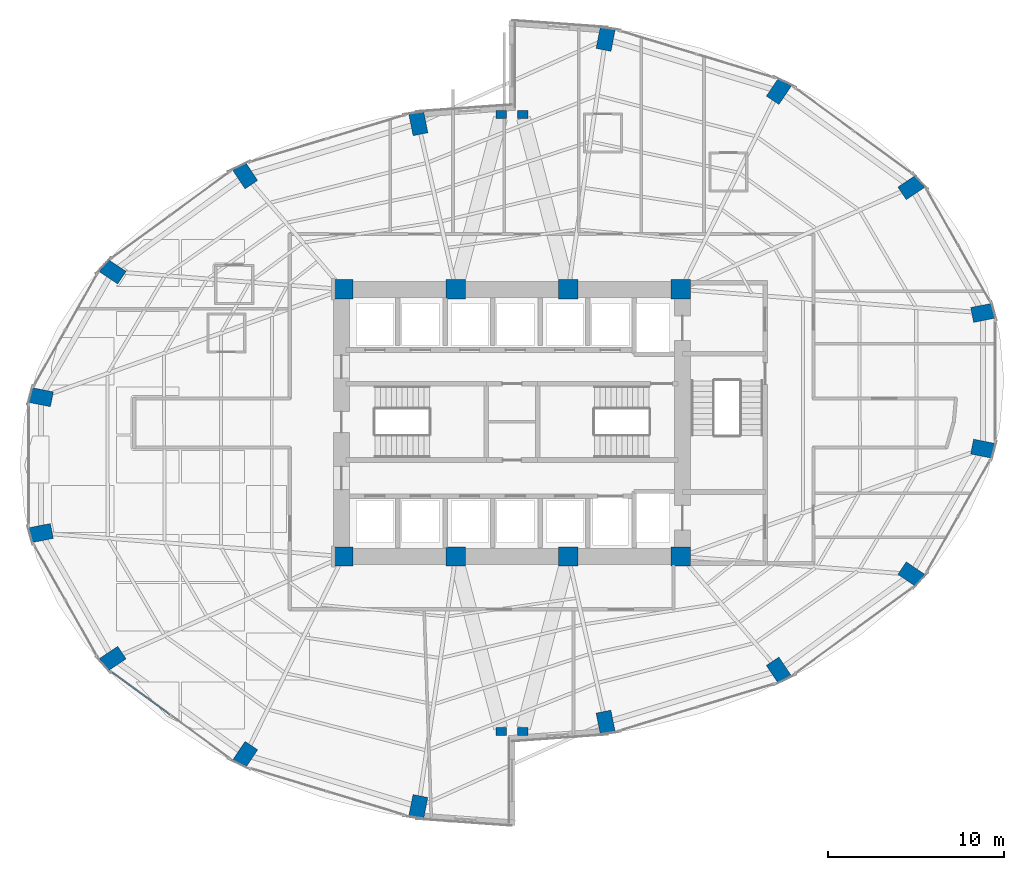
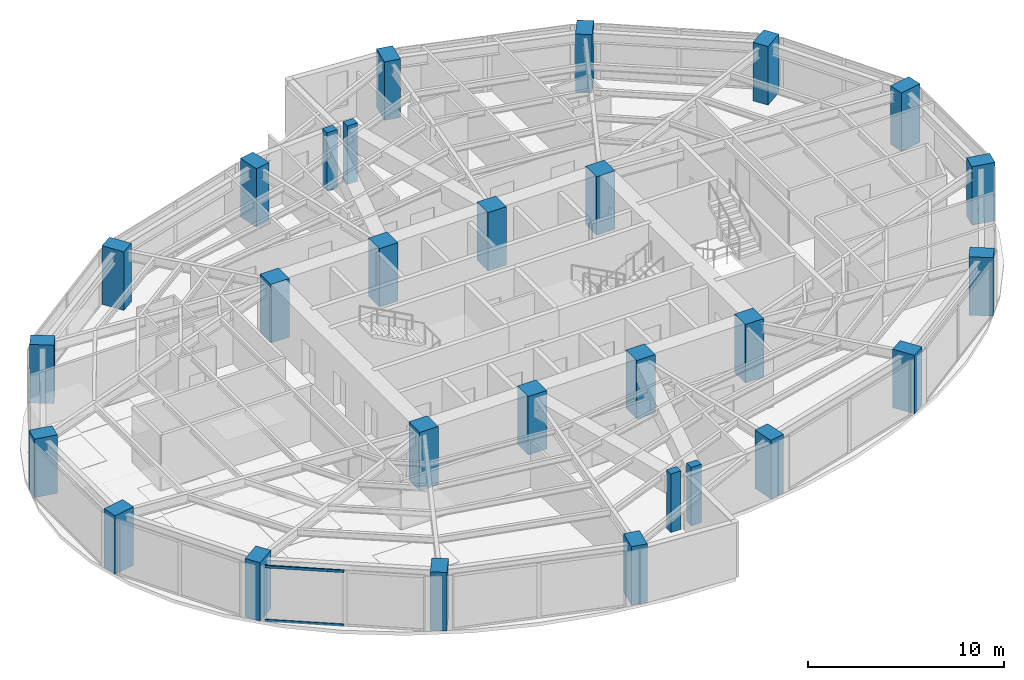
# One storey, part 1 of 24: 28 columns, 2 members, 1 element without a shape of its own.
"""IFC4 building model written with IfcOpenShell, lengths in metres."""

from ifc_helpers import new_model, si_unit, direction, frame, origin, origin_2d, place, context, subcontext, project, spatial, rectangle, hollow_rectangle, extrude, material, layer, layer_set, material_profile, profile_set, type_object, element, aggregate, save


model = new_model("IFC4")

# Units and contexts
model_context = context("Model", 3, precision=1e-05, world=origin(), true_north=direction((0.0, 1.0)))
body_context = subcontext(model_context, "Body", "Model", "MODEL_VIEW")
ifc_project = project(units=[si_unit("LENGTHUNIT", "METRE"), si_unit("AREAUNIT", "SQUARE_METRE"), si_unit("VOLUMEUNIT", "CUBIC_METRE"), si_unit("PLANEANGLEUNIT", "RADIAN"), si_unit("MASSUNIT", "GRAM", prefix="KILO")], contexts=[model_context])

# Site, building, storey
site_placement = place(None, origin())
site = spatial("IfcSite", under=ifc_project, at=site_placement, CompositionType="ELEMENT")
building_placement = place(site_placement, origin())
building = spatial("IfcBuilding", under=site, at=building_placement, Name="Lazwardi Medical Tower", CompositionType="ELEMENT")
storey_placement = place(building_placement, frame((0.0, 0.0, 54.384033203125)))
storey = spatial("IfcBuildingStorey", under=building, at=storey_placement, Name="L13", CompositionType="ELEMENT", Elevation=54.384033203125)

# Columns
ifc_material_1 = material(Name="Concrete C80/95", Category="concrete")
ifc_material_profile_1 = material_profile(ifc_material_1, rectangle(XDim=1.10009765625, YDim=1.10009765625, at=origin_2d()), Name="RC 1100x1100")
ifc_profile_set_1 = profile_set([ifc_material_profile_1], Name="Concrete C80/95")
column_type_1 = type_object("IfcColumnType", Name="COL-CC-L", PredefinedType="COLUMN", material=ifc_profile_set_1)
for number, where, z_axis, x_axis, name in (
    (1, (26.39990234375, 20.39990234375, 0.0), (0.0, 0.0, 1.0), (1.0, 0.0, 0.0), "Core column CC-01 CC1 L13"),
    (2, (32.800048828125, 20.39990234375, 0.0), (0.0, 0.0, 1.0), (1.0, 0.0, 0.0), "Core column CC-01 CC2 L13"),
    (3, (39.199951171875, 20.39990234375, 0.0), (0.0, 0.0, 1.0), (1.0, 0.0, 0.0), "Core column CC-01 CC3 L13"),
    (4, (45.60009765625, 20.39990234375, 0.0), (0.0, 0.0, 1.0), (1.0, 0.0, 0.0), "Core column CC-01 CC4 L13"),
    (5, (45.60009765625, 35.60009765625, 0.0), (0.0, 0.0, 1.0), (1.0, 0.0, 0.0), "Core column CC-01 CC5 L13"),
    (6, (39.199951171875, 35.60009765625, 0.0), (0.0, 0.0, 1.0), (1.0, 0.0, 0.0), "Core column CC-01 CC6 L13"),
    (7, (32.800048828125, 35.60009765625, 0.0), (0.0, 0.0, 1.0), (1.0, 0.0, 0.0), "Core column CC-01 CC7 L13"),
    (8, (26.39990234375, 35.60009765625, 0.0), (0.0, 0.0, 1.0), (1.0, 0.0, 0.0), "Core column CC-01 CC8 L13"),
):
    element("IfcColumn", number, at=place(storey_placement, frame(where, z_axis=z_axis, x_axis=x_axis)), inside=storey, type_object=column_type_1, Name=name, PredefinedType="COLUMN", context=body_context, shape_type="SweptSolid", body=[
        extrude(rectangle(XDim=1.10009765625, YDim=1.10009765625, at=origin_2d()), origin(), (0.0, 0.0, 1.0), 3.64794921875),
    ])
ifc_material_2 = material(Name="Concrete C70/85", Category="concrete")
ifc_material_profile_2 = material_profile(ifc_material_2, rectangle(XDim=1.25, YDim=0.860107421875, at=origin_2d()), Name="CFT-RECT 1250x860")
ifc_profile_set_2 = profile_set([ifc_material_profile_2], Name="Concrete C70/85")
column_type_2 = type_object("IfcColumnType", Name="COL-MC-Z1", PredefinedType="COLUMN", material=ifc_profile_set_2)
for number, where, z_axis, x_axis, name in (
    (9, (41.330810546875, 10.955810546875, 0.0), (0.0, 0.0, 1.0), (0.195090322016, -0.980785280403, 0.0), "Mega column MC-03 M01 L13"),
    (10, (51.180908203125, 13.916015625, 0.0), (0.0, 0.0, 1.0), (0.55557023302, -0.831469612303, 0.0), "Mega column MC-03 M02 L13"),
    (11, (58.719970703125, 19.3857421875, 0.0), (0.0, 0.0, 1.0), (0.831469612303, -0.55557023302, 0.0), "Mega column MC-03 M03 L13"),
    (12, (62.800048828125, 26.5322265625, 0.0), (0.0, 0.0, 1.0), (0.980785280403, -0.195090322016, 0.0), "Mega column MC-03 M04 L13"),
    (13, (62.800048828125, 34.267578125, 0.0), (0.0, 0.0, 1.0), (0.980785280403, 0.195090322016, 0.0), "Mega column MC-03 M05 L13"),
    (14, (58.719970703125, 41.414306640625, 0.0), (0.0, 0.0, 1.0), (0.831469612303, 0.55557023302, 0.0), "Mega column MC-03 M06 L13"),
    (15, (51.180908203125, 46.8837890625, 0.0), (0.0, 0.0, 1.0), (0.55557023302, 0.831469612303, 0.0), "Mega column MC-03 M07 L13"),
    (16, (41.330810546875, 49.843994140625, 0.0), (0.0, 0.0, 1.0), (0.195090322016, 0.980785280403, 0.0), "Mega column MC-03 M08 L13"),
    (17, (30.669189453125, 45.044189453125, 0.0), (0.0, 0.0, 1.0), (-0.195090322016, 0.980785280403, 0.0), "Mega column MC-03 M09 L13"),
    (18, (20.819091796875, 42.083984375, 0.0), (0.0, 0.0, 1.0), (-0.55557023302, 0.831469612303, 0.0), "Mega column MC-03 M10 L13"),
    (19, (13.280029296875, 36.6142578125, 0.0), (0.0, 0.0, 1.0), (-0.831469612303, 0.55557023302, 0.0), "Mega column MC-03 M11 L13"),
    (20, (9.199951171875, 29.4677734375, 0.0), (0.0, 0.0, 1.0), (-0.980785280403, 0.195090322016, 0.0), "Mega column MC-03 M12 L13"),
    (21, (9.199951171875, 21.732421875, 0.0), (0.0, 0.0, 1.0), (-0.980785280403, -0.195090322016, 0.0), "Mega column MC-03 M13 L13"),
    (22, (13.280029296875, 14.585693359375, 0.0), (0.0, 0.0, 1.0), (-0.831469612303, -0.55557023302, 0.0), "Mega column MC-03 M14 L13"),
    (23, (20.819091796875, 9.1162109375, 0.0), (0.0, 0.0, 1.0), (-0.55557023302, -0.831469612303, 0.0), "Mega column MC-03 M15 L13"),
    (24, (30.669189453125, 6.156005859375, 0.0), (0.0, 0.0, 1.0), (-0.195090322016, -0.980785280403, 0.0), "Mega column MC-03 M16 L13"),
):
    element("IfcColumn", number, at=place(storey_placement, frame(where, z_axis=z_axis, x_axis=x_axis)), inside=storey, type_object=column_type_2, Name=name, PredefinedType="COLUMN", context=body_context, shape_type="SweptSolid", body=[
        extrude(rectangle(XDim=1.25, YDim=0.860107421875, at=origin_2d()), origin(), (0.0, 0.0, 1.0), 3.64794921875),
    ])
ifc_material_3 = material(Name="Concrete C60/75", Category="concrete")
ifc_material_profile_3 = material_profile(ifc_material_3, rectangle(XDim=0.60009765625, YDim=0.449951171875, at=origin_2d()), Name="RC 600x450")
ifc_profile_set_3 = profile_set([ifc_material_profile_3], Name="Concrete C60/75")
column_type_3 = type_object("IfcColumnType", Name="COL-PL-IW", PredefinedType="PILASTER", material=ifc_profile_set_3)
for number, where, z_axis, x_axis, name in (
    (25, (35.39990234375, 45.550048828125, 0.0), (0.0, 0.0, 1.0), (1.0, 0.0, 0.0), "Iwan pilaster column PL-C1 PL1 L13"),
    (26, (36.60009765625, 45.550048828125, 0.0), (0.0, 0.0, 1.0), (1.0, 0.0, 0.0), "Iwan pilaster column PL-C1 PL2 L13"),
    (27, (35.39990234375, 10.449951171875, 0.0), (0.0, 0.0, 1.0), (1.0, 0.0, 0.0), "Iwan pilaster column PL-C1 PL3 L13"),
    (28, (36.60009765625, 10.449951171875, 0.0), (0.0, 0.0, 1.0), (1.0, 0.0, 0.0), "Iwan pilaster column PL-C1 PL4 L13"),
):
    element("IfcColumn", number, at=place(storey_placement, frame(where, z_axis=z_axis, x_axis=x_axis)), inside=storey, type_object=column_type_3, Name=name, PredefinedType="PILASTER", context=body_context, shape_type="SweptSolid", body=[
        extrude(rectangle(XDim=0.60009765625, YDim=0.449951171875, at=origin_2d()), origin(), (0.0, 0.0, 1.0), 3.64794921875),
    ])

# Curtain wall, members
ifc_material_4 = material(Name="Anodised bronze aluminium and solar control glazing", Category="aluminium")
ifc_layer = layer(ifc_material_4, 0.199951171875)
ifc_layer_set = layer_set([ifc_layer], Name="Anodised bronze aluminium and solar control glazing")
curtain_wall_type = type_object("IfcCurtainWallType", Name="CW-SYS-02", PredefinedType="NOTDEFINED", material=ifc_layer_set)
curtain_wall_placement = place(storey_placement, origin())
curtain_wall = element("IfcCurtainWall", 29, at=curtain_wall_placement, inside=storey, type_object=curtain_wall_type, Name="L13 Unitised bronze curtain wall CW-02", PredefinedType="NOTDEFINED")
ifc_material_5 = material(Name="Anodised bronze aluminium", Category="aluminium")
ifc_material_profile_4 = material_profile(ifc_material_5, hollow_rectangle(XDim=0.074951171875, YDim=0.159912109375, WallThickness=0.00390625, at=origin_2d()), Name="ALU-TRANSOM 160x75x4")
ifc_profile_set_4 = profile_set([ifc_material_profile_4], Name="Anodised bronze aluminium")
member_type = type_object("IfcMemberType", Name="CW-TRN-01", PredefinedType="USERDEFINED", material=ifc_profile_set_4)
member_1_placement = place(storey_placement, frame((13.239990234375, 13.805419921875, 0.037353515625), z_axis=(0.807189956199, -0.590291770748, 0.0), x_axis=(0.590291770748, 0.807189956199, 0.0)))
member_1 = element("IfcMember", 30, at=member_1_placement, type_object=member_type, Name="CW-02 transom 1.1", ObjectType="TRANSOM", PredefinedType="USERDEFINED", context=body_context, shape_type="SweptSolid", body=[
    extrude(hollow_rectangle(XDim=0.074951171875, YDim=0.159912109375, WallThickness=0.00390625, at=origin_2d()), origin(), (0.0, 0.0, 1.0), 4.070068359375),
])
member_2_placement = place(storey_placement, frame((13.239990234375, 13.805419921875, 3.390380859375), z_axis=(0.807189956199, -0.590291770748, 0.0), x_axis=(0.590291770748, 0.807189956199, 0.0)))
member_2 = element("IfcMember", 31, at=member_2_placement, type_object=member_type, Name="CW-02 transom 1.2", ObjectType="TRANSOM", PredefinedType="USERDEFINED", context=body_context, shape_type="SweptSolid", body=[
    extrude(hollow_rectangle(XDim=0.074951171875, YDim=0.159912109375, WallThickness=0.00390625, at=origin_2d()), origin(), (0.0, 0.0, 1.0), 4.070068359375),
])
aggregate(curtain_wall, [member_1, member_2])

save(model, "model.ifc")
